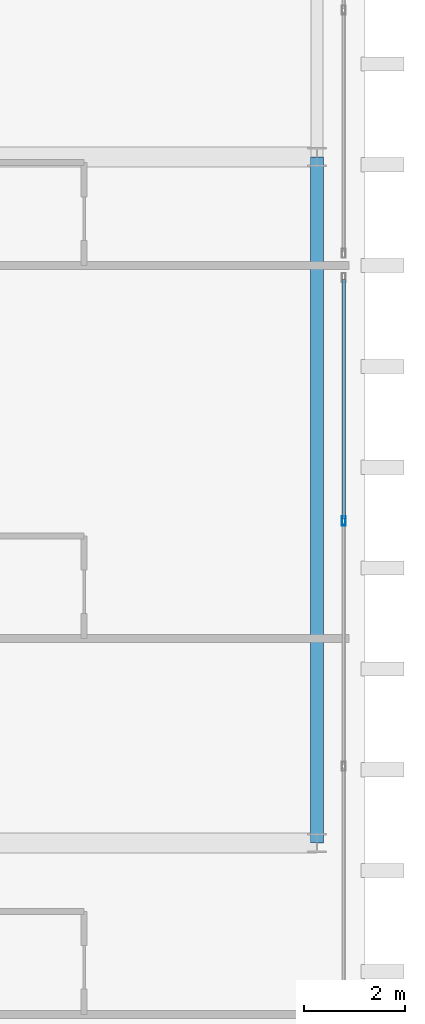
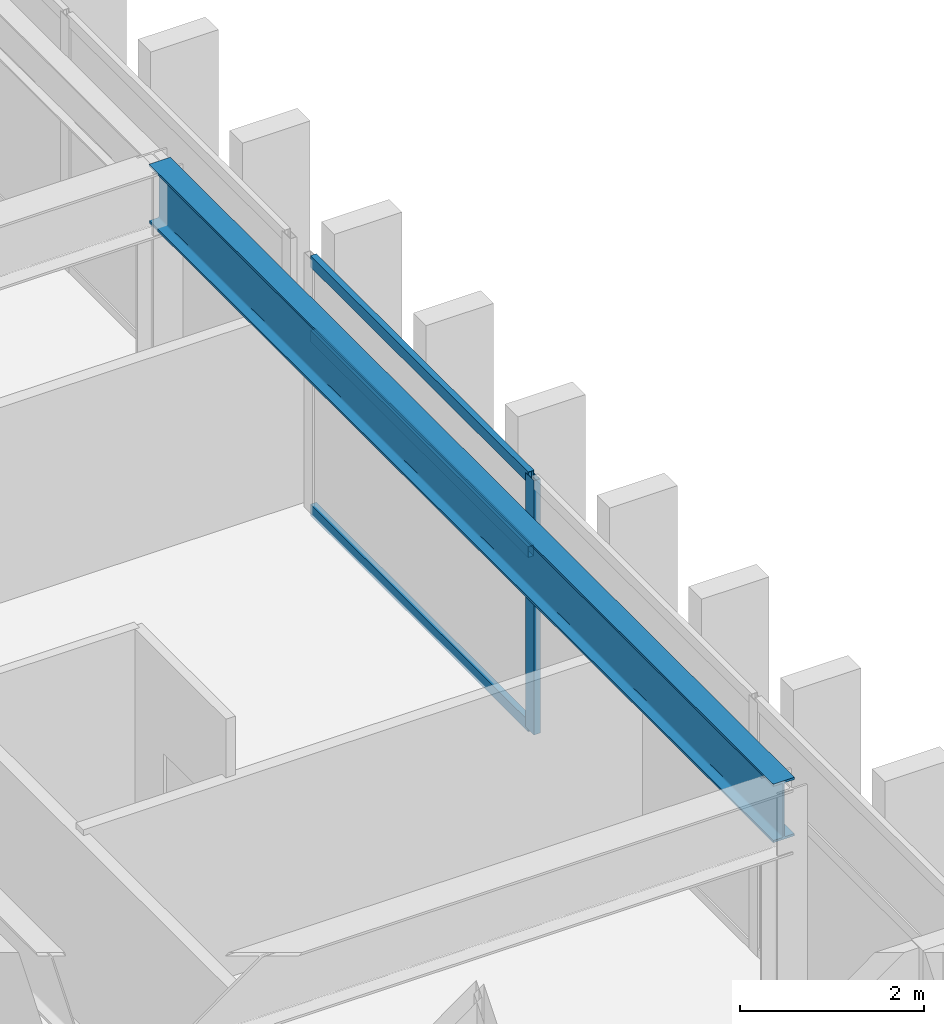
# One storey, part 5 of 15: 4 members, 1 beam, 1 element without a shape of its own.
"""IFC4 building model written with IfcOpenShell, lengths in metres."""

from ifc_helpers import new_model, si_unit, direction, frame, origin, origin_2d, place, context, subcontext, project, spatial, hollow_rectangle, i_section, extrude, source, transform, mapped, material, layer, layer_set, material_profile, profile_set, type_object, element, aggregate, save


model = new_model("IFC4")

# Units and contexts
model_context = context("Model", 3, precision=1e-05, world=origin(), true_north=direction((0.0, 1.0)))
body_context = subcontext(model_context, "Body", "Model", "MODEL_VIEW")
ifc_project = project(units=[si_unit("LENGTHUNIT", "METRE"), si_unit("AREAUNIT", "SQUARE_METRE"), si_unit("VOLUMEUNIT", "CUBIC_METRE"), si_unit("PLANEANGLEUNIT", "RADIAN"), si_unit("MASSUNIT", "GRAM", prefix="KILO")], contexts=[model_context])

# Site, building, storey
site_placement = place(None, origin())
site = spatial("IfcSite", under=ifc_project, at=site_placement, CompositionType="ELEMENT")
building_placement = place(site_placement, origin())
building = spatial("IfcBuilding", under=site, at=building_placement, Name="Ocotamira Hotel", CompositionType="ELEMENT")
storey_placement = place(building_placement, frame((0.0, 0.0, 286.800048828125)))
storey = spatial("IfcBuildingStorey", under=building, at=storey_placement, Name="L73", CompositionType="ELEMENT", Elevation=286.800048828125)

# Beam
ifc_material_1 = material(Name="Steel ASTM A992 Grade 50", Category="steel")
ifc_material_profile_1 = material_profile(ifc_material_1, i_section(OverallWidth=0.26611328125, OverallDepth=0.779052734375, WebThickness=0.0166015625, FlangeThickness=0.030029296875, FilletRadius=0.01806640625, at=origin_2d()), Name="W30X148")
ifc_profile_set_1 = profile_set([ifc_material_profile_1], Name="Steel ASTM A992 Grade 50")
beam_type = type_object("IfcBeamType", Name="BM-GIRD-W30X148", PredefinedType="BEAM", material=ifc_profile_set_1)
shared_shape_1 = source(origin(), body_context, "Body", "SweptSolid", [
    extrude(i_section(OverallWidth=0.26611328125, OverallDepth=0.779052734375, WebThickness=0.0166015625, FlangeThickness=0.030029296875, FilletRadius=0.01806640625, at=origin_2d()), origin(), (0.0, 0.0, 1.0), 13.599853515625),
])
beam_placement = place(storey_placement, frame((32.050048828125, 14.550048828125, 2.990478515625), z_axis=(0.0, 1.0, 0.0), x_axis=(-1.0, 0.0, 0.0)))
element("IfcBeam", 1, at=beam_placement, inside=storey, type_object=beam_type, Name="L73 Beam X32.05 Y14.55-28.15", PredefinedType="BEAM", context=body_context, shape_type="MappedRepresentation", body=[
    mapped(shared_shape_1, transform((0.0, 0.0, 0.0), scale=1.0)),
])

# Curtain wall, members
ifc_material_2 = material(Name="Anodised pale-metal aluminium and solar glass", Category="aluminium")
ifc_layer = layer(ifc_material_2, 0.2099609375)
ifc_layer_set = layer_set([ifc_layer], Name="Anodised pale-metal aluminium and solar glass")
curtain_wall_type = type_object("IfcCurtainWallType", Name="CW-SYS7-PEAK", PredefinedType="NOTDEFINED", material=ifc_layer_set)
curtain_wall_placement = place(storey_placement, origin())
curtain_wall = element("IfcCurtainWall", 2, at=curtain_wall_placement, inside=storey, type_object=curtain_wall_type, Name="L73 Curtain Wall CW-7 CW-L73-E1", PredefinedType="NOTDEFINED")
ifc_material_3 = material(Name="Anodised pale-metal aluminium 6063-T6", Category="aluminium")
ifc_material_profile_2 = material_profile(ifc_material_3, hollow_rectangle(XDim=0.080078125, YDim=0.179931640625, WallThickness=0.006103515625, at=origin_2d()), Name="HSS180X80X6")
ifc_profile_set_2 = profile_set([ifc_material_profile_2], Name="Anodised pale-metal aluminium 6063-T6")
member_type_1 = type_object("IfcMemberType", Name="CWM-180X75", PredefinedType="MULLION", material=ifc_profile_set_2)
shared_shape_2 = source(origin(), body_context, "Body", "SweptSolid", [
    extrude(hollow_rectangle(XDim=0.080078125, YDim=0.179931640625, WallThickness=0.006103515625, at=origin_2d()), origin(), (0.0, 0.0, 1.0), 3.3798828125),
])
member_1_placement = place(storey_placement, frame((32.580078125, 20.933349609375, 0.0), z_axis=(0.0, 0.0, 1.0), x_axis=(-1.0, 0.0, 0.0)))
member_1 = element("IfcMember", 3, at=member_1_placement, type_object=member_type_1, Name="CW-7 mullion 3", PredefinedType="MULLION", context=body_context, shape_type="MappedRepresentation", body=[
    mapped(shared_shape_2, transform((0.0, 0.0, 0.0), scale=1.0)),
])
ifc_material_profile_3 = material_profile(ifc_material_3, hollow_rectangle(XDim=0.074951171875, YDim=0.14990234375, WallThickness=0.006103515625, at=origin_2d()), Name="HSS150X75X6")
ifc_profile_set_3 = profile_set([ifc_material_profile_3], Name="Anodised pale-metal aluminium 6063-T6")
member_type_2 = type_object("IfcMemberType", Name="CWT-150X75", PredefinedType="USERDEFINED", material=ifc_profile_set_3)
shared_shape_3 = source(origin(), body_context, "Body", "SweptSolid", [
    extrude(hollow_rectangle(XDim=0.074951171875, YDim=0.14990234375, WallThickness=0.006103515625, at=origin_2d()), origin(), (0.0, 0.0, 1.0), 4.74658203125),
])
member_2_placement = place(storey_placement, frame((32.580078125, 20.973388671875, 0.037353515625), z_axis=(0.0, 1.0, 0.0), x_axis=(-1.0, 0.0, 0.0)))
member_2 = element("IfcMember", 4, at=member_2_placement, type_object=member_type_2, Name="CW-7 transom 3.1", ObjectType="TRANSOM", PredefinedType="USERDEFINED", context=body_context, shape_type="MappedRepresentation", body=[
    mapped(shared_shape_3, transform((0.0, 0.0, 0.0), scale=1.0)),
])
member_3_placement = place(storey_placement, frame((32.580078125, 20.973388671875, 2.349853515625), z_axis=(0.0, 1.0, 0.0), x_axis=(-1.0, 0.0, 0.0)))
member_3 = element("IfcMember", 5, at=member_3_placement, type_object=member_type_2, Name="CW-7 transom 3.2", ObjectType="TRANSOM", PredefinedType="USERDEFINED", context=body_context, shape_type="MappedRepresentation", body=[
    mapped(shared_shape_3, transform((0.0, 0.0, 0.0), scale=1.0)),
])
member_4_placement = place(storey_placement, frame((32.580078125, 20.973388671875, 3.342529296875), z_axis=(0.0, 1.0, 0.0), x_axis=(-1.0, 0.0, 0.0)))
member_4 = element("IfcMember", 6, at=member_4_placement, type_object=member_type_2, Name="CW-7 transom 3.3", ObjectType="TRANSOM", PredefinedType="USERDEFINED", context=body_context, shape_type="MappedRepresentation", body=[
    mapped(shared_shape_3, transform((0.0, 0.0, 0.0), scale=1.0)),
])
aggregate(curtain_wall, [member_1, member_2, member_3, member_4])

save(model, "model.ifc")
